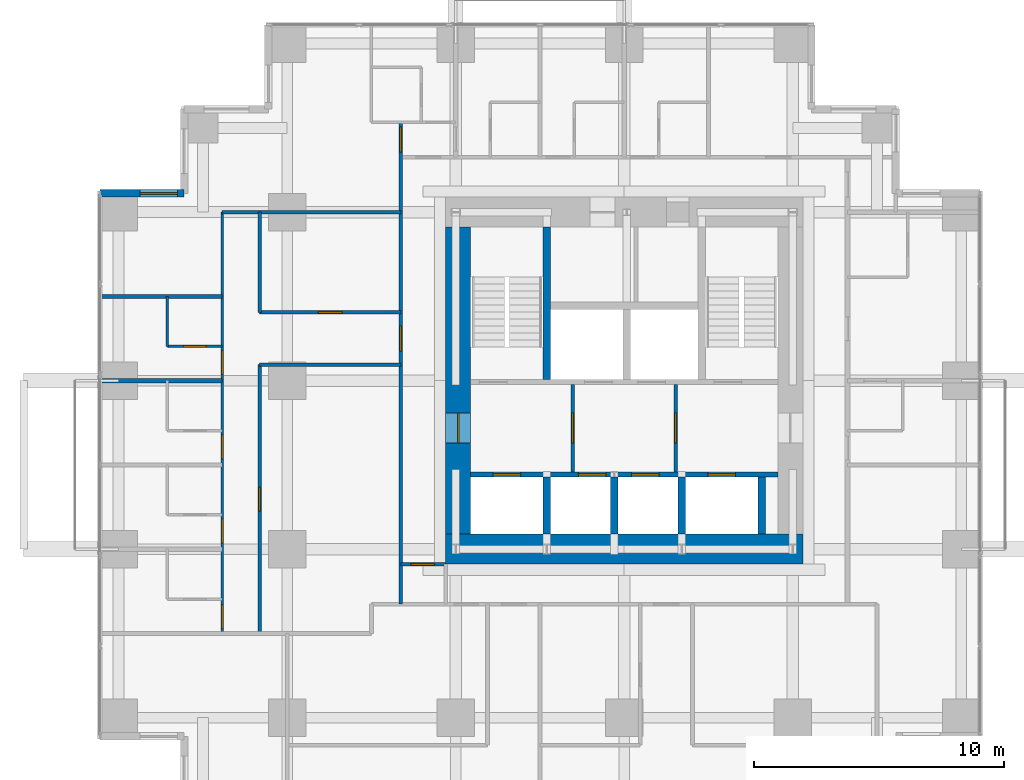
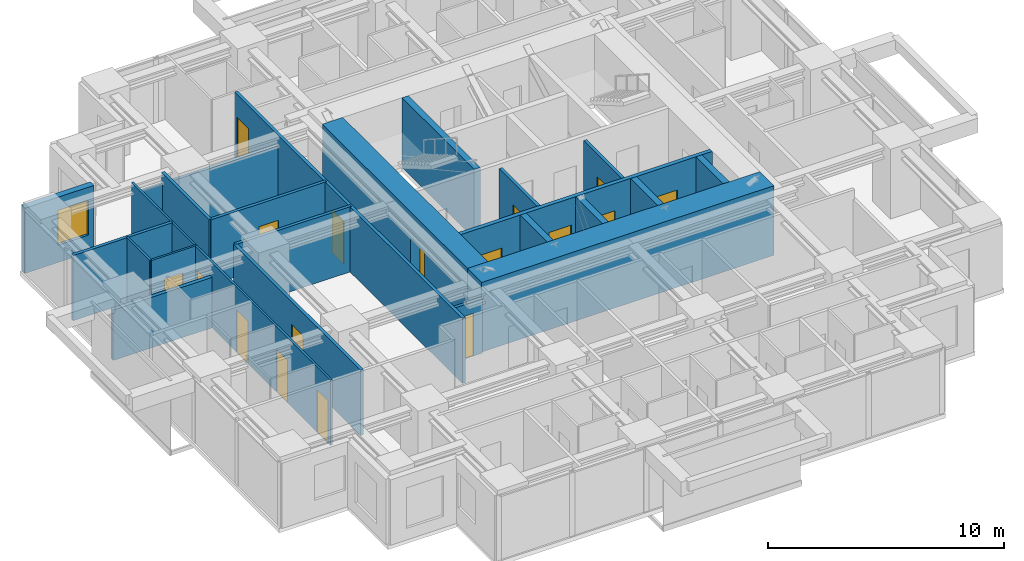
# One storey, part 7 of 11: 23 walls, 17 doors, 1 window, 18 openings.
"""IFC4 building model written with IfcOpenShell, lengths in metres."""

from ifc_helpers import new_model, si_unit, direction, frame, frame_2d, origin, place, context, subcontext, project, spatial, rectangle, extrude, material, layer, layer_set, type_object, element, fill, save


model = new_model("IFC4")

# Units and contexts
model_context = context("Model", 3, precision=1e-05, world=origin(), true_north=direction((0.0, 1.0)))
body_context = subcontext(model_context, "Body", "Model", "MODEL_VIEW")
ifc_project = project(units=[si_unit("LENGTHUNIT", "METRE"), si_unit("AREAUNIT", "SQUARE_METRE"), si_unit("VOLUMEUNIT", "CUBIC_METRE"), si_unit("PLANEANGLEUNIT", "RADIAN"), si_unit("MASSUNIT", "GRAM", prefix="KILO")], contexts=[model_context])

# Site, building, storey
site_placement = place(None, origin())
site = spatial("IfcSite", under=ifc_project, at=site_placement, CompositionType="ELEMENT")
building_placement = place(site_placement, origin())
building = spatial("IfcBuilding", under=site, at=building_placement, Name="Nyansa Garden Tower", CompositionType="ELEMENT")
storey_placement = place(building_placement, frame((0.0, 0.0, 160.199951171875)))
storey = spatial("IfcBuildingStorey", under=building, at=storey_placement, Name="L43", CompositionType="ELEMENT", Elevation=160.199951171875)

# Wall
ifc_material_1 = material(Name="Dense blockwork, plastered both sides, 55 dB", Category="masonry")
ifc_layer_1 = layer(ifc_material_1, 0.175048828125)
ifc_layer_set_1 = layer_set([ifc_layer_1], Name="Acoustic party wall PW175")
wall_type_1 = type_object("IfcWallType", Name="Acoustic party wall PW175", PredefinedType="PARTITIONING", material=ifc_layer_set_1)
wall_1_placement = place(storey_placement, frame((-0.73388671875, 20.25, 0.0), z_axis=(0.0, 0.0, 1.0), x_axis=(1.0, 0.0, 0.0)))
element("IfcWall", 1, at=wall_1_placement, inside=storey, type_object=wall_type_1, Name="Party wall", PredefinedType="PARTITIONING", context=body_context, shape_type="SweptSolid", body=[
    extrude(rectangle(XDim=4.8837890625, YDim=0.175048828125, at=frame_2d((2.44189453125, 0.0))), origin(), (0.0, 0.0, 1.0), 2.610107421875),
])

# Wall, openings, doors
ifc_material_2 = material(Name="Concrete C70/85", Category="concrete")
ifc_layer_2 = layer(ifc_material_2, 0.199951171875)
ifc_layer_set_2 = layer_set([ifc_layer_2], Name="Core inner wall CI200")
wall_type_2 = type_object("IfcWallType", Name="Core inner wall CI200", PredefinedType="SHEAR", material=ifc_layer_set_2)
wall_2_placement = place(storey_placement, frame((14.10009765625, 16.5, 0.0), z_axis=(0.0, 0.0, 1.0), x_axis=(1.0, 0.0, 0.0)))
wall_2 = element("IfcWall", 2, at=wall_2_placement, inside=storey, type_object=wall_type_2, Name="Core inner wall L43", PredefinedType="SHEAR", context=body_context, shape_type="SweptSolid", body=[
    extrude(rectangle(XDim=12.2998046875, YDim=0.199951171875, at=frame_2d((6.14990234375, 0.0))), origin(), (0.0, 0.0, 1.0), 3.60009765625),
])
opening_1_placement = place(wall_2_placement, frame((0.89990234375, 0.0, 0.0)))
opening_1 = element("IfcOpeningElement", 3, at=opening_1_placement, cuts=wall_2, Name="Opening LD-F", PredefinedType="OPENING", context=body_context, shape_type="SweptSolid", body=[
    extrude(rectangle(XDim=1.10009765625, YDim=2.199951171875, at=frame_2d((0.550048828125, 1.10009765625))), frame((0.0, 0.10986328125, 0.0), z_axis=(0.0, -1.0, 0.0), x_axis=(1.0, 0.0, 0.0)), (0.0, 0.0, 1.0), 0.219970703125),
])
opening_2_placement = place(wall_2_placement, frame((4.31005859375, 0.0, 0.0)))
opening_2 = element("IfcOpeningElement", 4, at=opening_2_placement, cuts=wall_2, Name="Opening LD-B", PredefinedType="OPENING", context=body_context, shape_type="SweptSolid", body=[
    extrude(rectangle(XDim=1.10009765625, YDim=2.199951171875, at=frame_2d((0.550048828125, 1.10009765625))), frame((0.0, 0.10986328125, 0.0), z_axis=(0.0, -1.0, 0.0), x_axis=(1.0, 0.0, 0.0)), (0.0, 0.0, 1.0), 0.219970703125),
])
opening_3_placement = place(wall_2_placement, frame((6.449951171875, 0.0, 0.0)))
opening_3 = element("IfcOpeningElement", 5, at=opening_3_placement, cuts=wall_2, Name="Opening LD-B", PredefinedType="OPENING", context=body_context, shape_type="SweptSolid", body=[
    extrude(rectangle(XDim=1.10009765625, YDim=2.199951171875, at=frame_2d((0.550048828125, 1.10009765625))), frame((0.0, 0.10986328125, 0.0), z_axis=(0.0, -1.0, 0.0), x_axis=(1.0, 0.0, 0.0)), (0.0, 0.0, 1.0), 0.219970703125),
])
opening_4_placement = place(wall_2_placement, frame((9.5, 0.0, 0.0)))
opening_4 = element("IfcOpeningElement", 6, at=opening_4_placement, cuts=wall_2, Name="Opening LD-F", PredefinedType="OPENING", context=body_context, shape_type="SweptSolid", body=[
    extrude(rectangle(XDim=1.10009765625, YDim=2.199951171875, at=frame_2d((0.550048828125, 1.10009765625))), frame((0.0, 0.10986328125, 0.0), z_axis=(0.0, -1.0, 0.0), x_axis=(1.0, 0.0, 0.0)), (0.0, 0.0, 1.0), 0.219970703125),
])
ifc_material_3 = material(Name="Stainless steel centre-opening landing door of the high-rise lift, E 120", Category="steel")
door_type_1 = type_object("IfcDoorType", Name="Lift landing door LD-B 1100x2200", OperationType="DOUBLE_DOOR_SLIDING", PredefinedType="DOOR", material=ifc_material_3)
door_1_placement = place(opening_2_placement, origin())
door_1 = element("IfcDoor", 7, at=door_1_placement, inside=storey, type_object=door_type_1, Name="Landing door B1", OperationType="DOUBLE_DOOR_SLIDING", OverallHeight=2.199951171875, OverallWidth=1.10009765625, PredefinedType="DOOR", context=body_context, shape_type="SweptSolid", body=[
    extrude(rectangle(XDim=1.10009765625, YDim=2.199951171875, at=frame_2d((0.550048828125, 1.10009765625))), frame((0.0, 0.02490234375, 0.0), z_axis=(0.0, -1.0, 0.0), x_axis=(1.0, 0.0, 0.0)), (0.0, 0.0, 1.0), 0.050048828125),
])
fill(opening_2, door_1)
door_2_placement = place(opening_3_placement, origin())
door_2 = element("IfcDoor", 8, at=door_2_placement, inside=storey, type_object=door_type_1, Name="Landing door B2", OperationType="DOUBLE_DOOR_SLIDING", OverallHeight=2.199951171875, OverallWidth=1.10009765625, PredefinedType="DOOR", context=body_context, shape_type="SweptSolid", body=[
    extrude(rectangle(XDim=1.10009765625, YDim=2.199951171875, at=frame_2d((0.550048828125, 1.10009765625))), frame((0.0, 0.02490234375, 0.0), z_axis=(0.0, -1.0, 0.0), x_axis=(1.0, 0.0, 0.0)), (0.0, 0.0, 1.0), 0.050048828125),
])
fill(opening_3, door_2)
ifc_material_4 = material(Name="Stainless steel centre-opening landing door of the firefighting lift, EN 81-72, E 120", Category="steel")
door_type_2 = type_object("IfcDoorType", Name="Lift landing door LD-F 1100x2200", OperationType="DOUBLE_DOOR_SLIDING", PredefinedType="DOOR", material=ifc_material_4)
door_3_placement = place(opening_1_placement, origin())
door_3 = element("IfcDoor", 9, at=door_3_placement, inside=storey, type_object=door_type_2, Name="Landing door FF1", OperationType="DOUBLE_DOOR_SLIDING", OverallHeight=2.199951171875, OverallWidth=1.10009765625, PredefinedType="DOOR", context=body_context, shape_type="SweptSolid", body=[
    extrude(rectangle(XDim=1.10009765625, YDim=2.199951171875, at=frame_2d((0.550048828125, 1.10009765625))), frame((0.0, 0.02490234375, 0.0), z_axis=(0.0, -1.0, 0.0), x_axis=(1.0, 0.0, 0.0)), (0.0, 0.0, 1.0), 0.050048828125),
])
fill(opening_1, door_3)
door_4_placement = place(opening_4_placement, origin())
door_4 = element("IfcDoor", 10, at=door_4_placement, inside=storey, type_object=door_type_2, Name="Landing door FF2", OperationType="DOUBLE_DOOR_SLIDING", OverallHeight=2.199951171875, OverallWidth=1.10009765625, PredefinedType="DOOR", context=body_context, shape_type="SweptSolid", body=[
    extrude(rectangle(XDim=1.10009765625, YDim=2.199951171875, at=frame_2d((0.550048828125, 1.10009765625))), frame((0.0, 0.02490234375, 0.0), z_axis=(0.0, -1.0, 0.0), x_axis=(1.0, 0.0, 0.0)), (0.0, 0.0, 1.0), 0.050048828125),
])
fill(opening_4, door_4)

# Walls
ifc_material_5 = material(Name="Concrete C70/85", Category="concrete")
ifc_layer_3 = layer(ifc_material_5, 0.300048828125)
ifc_layer_set_3 = layer_set([ifc_layer_3], Name="Core inner wall CI300")
wall_type_3 = type_object("IfcWallType", Name="Core inner wall CI300", PredefinedType="SHEAR", material=ifc_layer_set_3)
wall_3_placement = place(storey_placement, frame((17.14990234375, 20.300048828125, 0.0), z_axis=(0.0, 0.0, 1.0), x_axis=(0.0, 1.0, 0.0)))
element("IfcWall", 11, at=wall_3_placement, inside=storey, type_object=wall_type_3, Name="Core inner wall L43", PredefinedType="SHEAR", context=body_context, shape_type="SweptSolid", body=[
    extrude(rectangle(XDim=6.099853515625, YDim=0.300048828125, at=frame_2d((3.0498046875, 0.0))), origin(), (0.0, 0.0, 1.0), 3.60009765625),
])
for number, where, z_axis, x_axis, name in (
    (12, (17.14990234375, 14.10009765625, 0.0), (0.0, 0.0, 1.0), (0.0, 1.0, 0.0), "Core inner wall L43"),
    (13, (19.85009765625, 14.10009765625, 0.0), (0.0, 0.0, 1.0), (0.0, 1.0, 0.0), "Core inner wall L43"),
    (14, (22.550048828125, 14.10009765625, 0.0), (0.0, 0.0, 1.0), (0.0, 1.0, 0.0), "Core inner wall L43"),
    (15, (25.75, 14.10009765625, 0.0), (0.0, 0.0, 1.0), (0.0, 1.0, 0.0), "Core inner wall L43"),
):
    element("IfcWall", number, at=place(storey_placement, frame(where, z_axis=z_axis, x_axis=x_axis)), inside=storey, type_object=wall_type_3, Name=name, PredefinedType="SHEAR", context=body_context, shape_type="SweptSolid", body=[
        extrude(rectangle(XDim=2.2998046875, YDim=0.300048828125, at=frame_2d((1.14990234375, 0.0))), origin(), (0.0, 0.0, 1.0), 3.60009765625),
    ])

# Wall, opening, door
ifc_material_6 = material(Name="Concrete C80/95", Category="concrete")
ifc_layer_4 = layer(ifc_material_6, 1.0)
ifc_layer_set_4 = layer_set([ifc_layer_4], Name="Core wall CW1000")
wall_type_4 = type_object("IfcWallType", Name="Core wall CW1000", PredefinedType="SHEAR", material=ifc_layer_set_4)
wall_4_placement = place(storey_placement, frame((13.60009765625, 26.39990234375, 0.0), z_axis=(0.0, 0.0, 1.0), x_axis=(0.0, -1.0, 0.0)))
wall_4 = element("IfcWall", 16, at=wall_4_placement, inside=storey, type_object=wall_type_4, Name="Core wall W L43", PredefinedType="SHEAR", context=body_context, shape_type="SweptSolid", body=[
    extrude(rectangle(XDim=12.2998046875, YDim=1.0, at=frame_2d((6.14990234375, 0.0))), origin(), (0.0, 0.0, 1.0), 3.60009765625),
])
opening_5_placement = place(wall_4_placement, frame((7.449951171875, 0.0, 0.0)))
opening_5 = element("IfcOpeningElement", 17, at=opening_5_placement, cuts=wall_4, Name="Opening D06", PredefinedType="OPENING", context=body_context, shape_type="SweptSolid", body=[
    extrude(rectangle(XDim=1.199951171875, YDim=2.199951171875, at=frame_2d((0.60009765625, 1.10009765625))), frame((0.0, 0.510009765625, 0.0), z_axis=(0.0, -1.0, 0.0), x_axis=(1.0, 0.0, 0.0)), (0.0, 0.0, 1.0), 1.02001953125),
])
ifc_material_7 = material(Name="Steel door, 120 minute fire resisting", Category="steel")
door_type_3 = type_object("IfcDoorType", Name="Lobby door D06 1200x2200", OperationType="DOUBLE_DOOR_SINGLE_SWING", PredefinedType="DOOR", material=ifc_material_7)
door_5_placement = place(opening_5_placement, origin())
door_5 = element("IfcDoor", 18, at=door_5_placement, inside=storey, type_object=door_type_3, Name="Lift lobby door west", OperationType="DOUBLE_DOOR_SINGLE_SWING", OverallHeight=2.199951171875, OverallWidth=1.199951171875, PredefinedType="DOOR", context=body_context, shape_type="SweptSolid", body=[
    extrude(rectangle(XDim=1.199951171875, YDim=2.199951171875, at=frame_2d((0.60009765625, 1.10009765625))), frame((0.0, 0.02490234375, 0.0), z_axis=(0.0, -1.0, 0.0), x_axis=(1.0, 0.0, 0.0)), (0.0, 0.0, 1.0), 0.050048828125),
])
fill(opening_5, door_5)

# Wall
ifc_material_8 = material(Name="Concrete C80/95", Category="concrete")
ifc_layer_5 = layer(ifc_material_8, 1.199951171875)
ifc_layer_set_5 = layer_set([ifc_layer_5], Name="Core wall CW1200")
wall_type_5 = type_object("IfcWallType", Name="Core wall CW1200", PredefinedType="SHEAR", material=ifc_layer_set_5)
wall_5_placement = place(storey_placement, frame((13.10009765625, 13.5, 0.0), z_axis=(0.0, 0.0, 1.0), x_axis=(1.0, 0.0, 0.0)))
element("IfcWall", 19, at=wall_5_placement, inside=storey, type_object=wall_type_5, Name="Core wall S L43", PredefinedType="SHEAR", context=body_context, shape_type="SweptSolid", body=[
    extrude(rectangle(XDim=14.2998046875, YDim=1.199951171875, at=frame_2d((7.14990234375, 0.0))), origin(), (0.0, 0.0, 1.0), 3.60009765625),
])

# Wall, opening, door
ifc_material_9 = material(Name="Blockwork, plastered both sides", Category="masonry")
ifc_layer_6 = layer(ifc_material_9, 0.14990234375)
ifc_layer_set_6 = layer_set([ifc_layer_6], Name="Partition PW150")
wall_type_6 = type_object("IfcWallType", Name="Partition PW150", PredefinedType="PARTITIONING", material=ifc_layer_set_6)
wall_6_placement = place(storey_placement, frame((18.18505859375, 16.60009765625, 0.0), z_axis=(0.0, 0.0, 1.0), x_axis=(0.0, 1.0, 0.0)))
wall_6 = element("IfcWall", 20, at=wall_6_placement, inside=storey, type_object=wall_type_6, Name="Partition", PredefinedType="PARTITIONING", context=body_context, shape_type="SweptSolid", body=[
    extrude(rectangle(XDim=3.5, YDim=0.14990234375, at=frame_2d((1.75, 0.0))), origin(), (0.0, 0.0, 1.0), 3.375),
])
opening_6_placement = place(wall_6_placement, frame((1.14990234375, 0.0, 0.0)))
opening_6 = element("IfcOpeningElement", 21, at=opening_6_placement, cuts=wall_6, Name="Opening D06", PredefinedType="OPENING", context=body_context, shape_type="SweptSolid", body=[
    extrude(rectangle(XDim=1.199951171875, YDim=2.199951171875, at=frame_2d((0.60009765625, 1.10009765625))), frame((0.0, 0.0849609375, 0.0), z_axis=(0.0, -1.0, 0.0), x_axis=(1.0, 0.0, 0.0)), (0.0, 0.0, 1.0), 0.169921875),
])
door_6_placement = place(opening_6_placement, origin())
door_6 = element("IfcDoor", 22, at=door_6_placement, inside=storey, type_object=door_type_3, Name="Passenger lift lobby door", OperationType="DOUBLE_DOOR_SINGLE_SWING", OverallHeight=2.199951171875, OverallWidth=1.199951171875, PredefinedType="DOOR", context=body_context, shape_type="SweptSolid", body=[
    extrude(rectangle(XDim=1.199951171875, YDim=2.199951171875, at=frame_2d((0.60009765625, 1.10009765625))), frame((0.0, 0.02490234375, 0.0), z_axis=(0.0, -1.0, 0.0), x_axis=(1.0, 0.0, 0.0)), (0.0, 0.0, 1.0), 0.050048828125),
])
fill(opening_6, door_6)

wall_7_placement = place(storey_placement, frame((22.31494140625, 16.60009765625, 0.0), z_axis=(0.0, 0.0, 1.0), x_axis=(0.0, 1.0, 0.0)))
wall_7 = element("IfcWall", 23, at=wall_7_placement, inside=storey, type_object=wall_type_6, Name="Partition", PredefinedType="PARTITIONING", context=body_context, shape_type="SweptSolid", body=[
    extrude(rectangle(XDim=3.5, YDim=0.14990234375, at=frame_2d((1.75, 0.0))), origin(), (0.0, 0.0, 1.0), 3.375),
])
opening_7_placement = place(wall_7_placement, frame((1.14990234375, 0.0, 0.0)))
opening_7 = element("IfcOpeningElement", 24, at=opening_7_placement, cuts=wall_7, Name="Opening D06", PredefinedType="OPENING", context=body_context, shape_type="SweptSolid", body=[
    extrude(rectangle(XDim=1.199951171875, YDim=2.199951171875, at=frame_2d((0.60009765625, 1.10009765625))), frame((0.0, 0.0849609375, 0.0), z_axis=(0.0, -1.0, 0.0), x_axis=(1.0, 0.0, 0.0)), (0.0, 0.0, 1.0), 0.169921875),
])
door_7_placement = place(opening_7_placement, origin())
door_7 = element("IfcDoor", 25, at=door_7_placement, inside=storey, type_object=door_type_3, Name="Passenger lift lobby door", OperationType="DOUBLE_DOOR_SINGLE_SWING", OverallHeight=2.199951171875, OverallWidth=1.199951171875, PredefinedType="DOOR", context=body_context, shape_type="SweptSolid", body=[
    extrude(rectangle(XDim=1.199951171875, YDim=2.199951171875, at=frame_2d((0.60009765625, 1.10009765625))), frame((0.0, 0.02490234375, 0.0), z_axis=(0.0, -1.0, 0.0), x_axis=(1.0, 0.0, 0.0)), (0.0, 0.0, 1.0), 0.050048828125),
])
fill(opening_7, door_7)

# Walls
wall_8_placement = place(storey_placement, frame((-0.73388671875, 23.625, 0.0), z_axis=(0.0, 0.0, 1.0), x_axis=(1.0, 0.0, 0.0)))
element("IfcWall", 26, at=wall_8_placement, inside=storey, type_object=wall_type_6, Name="Partition", PredefinedType="PARTITIONING", context=body_context, shape_type="SweptSolid", body=[
    extrude(rectangle(XDim=4.8837890625, YDim=0.14990234375, at=frame_2d((2.44189453125, 0.0))), origin(), (0.0, 0.0, 1.0), 3.375),
])
wall_9_placement = place(storey_placement, frame((4.14990234375, 27.0, 0.0), z_axis=(0.0, 0.0, 1.0), x_axis=(1.0, 0.0, 0.0)))
element("IfcWall", 27, at=wall_9_placement, inside=storey, type_object=wall_type_6, Name="Partition", PredefinedType="PARTITIONING", context=body_context, shape_type="SweptSolid", body=[
    extrude(rectangle(XDim=7.150146484375, YDim=0.14990234375, at=frame_2d((3.5751953125, 0.0))), origin(), (0.0, 0.0, 1.0), 2.80615234375),
])

# Wall, opening, door
wall_10_placement = place(storey_placement, frame((5.64990234375, 10.125, 0.0), z_axis=(0.0, 0.0, 1.0), x_axis=(0.0, 1.0, 0.0)))
wall_10 = element("IfcWall", 28, at=wall_10_placement, inside=storey, type_object=wall_type_6, Name="Partition", PredefinedType="PARTITIONING", context=body_context, shape_type="SweptSolid", body=[
    extrude(rectangle(XDim=10.762451171875, YDim=0.14990234375, at=frame_2d((5.38134765625, 0.0))), origin(), (0.0, 0.0, 1.0), 3.375),
])
opening_8_placement = place(wall_10_placement, frame((4.89990234375, 0.0, 0.0)))
opening_8 = element("IfcOpeningElement", 29, at=opening_8_placement, cuts=wall_10, Name="Opening D01", PredefinedType="OPENING", context=body_context, shape_type="SweptSolid", body=[
    extrude(rectangle(XDim=0.949951171875, YDim=2.199951171875, at=frame_2d((0.47509765625, 1.10009765625))), frame((0.0, 0.0849609375, 0.0), z_axis=(0.0, -1.0, 0.0), x_axis=(1.0, 0.0, 0.0)), (0.0, 0.0, 1.0), 0.169921875),
])
ifc_material_10 = material(Name="Timber flush door, 30 minute fire resisting", Category="wood")
door_type_4 = type_object("IfcDoorType", Name="Bedroom door D01 950x2200", OperationType="SINGLE_SWING_LEFT", PredefinedType="DOOR", material=ifc_material_10)
door_8_placement = place(opening_8_placement, origin())
door_8 = element("IfcDoor", 30, at=door_8_placement, inside=storey, type_object=door_type_4, Name="Door L43-059", OperationType="SINGLE_SWING_LEFT", OverallHeight=2.199951171875, OverallWidth=0.949951171875, PredefinedType="DOOR", context=body_context, shape_type="SweptSolid", body=[
    extrude(rectangle(XDim=0.949951171875, YDim=2.199951171875, at=frame_2d((0.47509765625, 1.10009765625))), frame((0.0, 0.02490234375, 0.0), z_axis=(0.0, -1.0, 0.0), x_axis=(1.0, 0.0, 0.0)), (0.0, 0.0, 1.0), 0.050048828125),
])
fill(opening_8, door_8)

# Walls
wall_11_placement = place(storey_placement, frame((5.64990234375, 20.886962890625, 0.0), z_axis=(0.0, 0.0, 1.0), x_axis=(1.0, 0.0, 0.0)))
element("IfcWall", 31, at=wall_11_placement, inside=storey, type_object=wall_type_6, Name="Partition", PredefinedType="PARTITIONING", context=body_context, shape_type="SweptSolid", body=[
    extrude(rectangle(XDim=5.650146484375, YDim=0.14990234375, at=frame_2d((2.8251953125, 0.0))), origin(), (0.0, 0.0, 1.0), 3.375),
])
wall_12_placement = place(storey_placement, frame((5.64990234375, 22.987548828125, 0.0), z_axis=(0.0, 0.0, 1.0), x_axis=(0.0, 1.0, 0.0)))
element("IfcWall", 32, at=wall_12_placement, inside=storey, type_object=wall_type_6, Name="Partition", PredefinedType="PARTITIONING", context=body_context, shape_type="SweptSolid", body=[
    extrude(rectangle(XDim=4.012451171875, YDim=0.14990234375, at=frame_2d((2.00634765625, 0.0))), origin(), (0.0, 0.0, 1.0), 3.375),
])

# Wall, opening, door
wall_13_placement = place(storey_placement, frame((5.64990234375, 22.988037109375, 0.0), z_axis=(0.0, 0.0, 1.0), x_axis=(1.0, 0.0, 0.0)))
wall_13 = element("IfcWall", 33, at=wall_13_placement, inside=storey, type_object=wall_type_6, Name="Partition", PredefinedType="PARTITIONING", context=body_context, shape_type="SweptSolid", body=[
    extrude(rectangle(XDim=5.650146484375, YDim=0.14990234375, at=frame_2d((2.8251953125, 0.0))), origin(), (0.0, 0.0, 1.0), 3.375),
])
opening_9_placement = place(wall_13_placement, frame((2.35009765625, 0.0, 0.0)))
opening_9 = element("IfcOpeningElement", 34, at=opening_9_placement, cuts=wall_13, Name="Opening D01", PredefinedType="OPENING", context=body_context, shape_type="SweptSolid", body=[
    extrude(rectangle(XDim=0.949951171875, YDim=2.199951171875, at=frame_2d((0.47509765625, 1.10009765625))), frame((0.0, 0.0849609375, 0.0), z_axis=(0.0, -1.0, 0.0), x_axis=(1.0, 0.0, 0.0)), (0.0, 0.0, 1.0), 0.169921875),
])
door_9_placement = place(opening_9_placement, origin())
door_9 = element("IfcDoor", 35, at=door_9_placement, inside=storey, type_object=door_type_4, Name="Door L43-060", OperationType="SINGLE_SWING_LEFT", OverallHeight=2.199951171875, OverallWidth=0.949951171875, PredefinedType="DOOR", context=body_context, shape_type="SweptSolid", body=[
    extrude(rectangle(XDim=0.949951171875, YDim=2.199951171875, at=frame_2d((0.47509765625, 1.10009765625))), frame((0.0, 0.02490234375, 0.0), z_axis=(0.0, -1.0, 0.0), x_axis=(1.0, 0.0, 0.0)), (0.0, 0.0, 1.0), 0.050048828125),
])
fill(opening_9, door_9)

# Wall, openings, doors
wall_14_placement = place(storey_placement, frame((11.300048828125, 11.300048828125, 0.0), z_axis=(0.0, 0.0, 1.0), x_axis=(0.0, 1.0, 0.0)))
wall_14 = element("IfcWall", 36, at=wall_14_placement, inside=storey, type_object=wall_type_6, Name="Partition", PredefinedType="PARTITIONING", context=body_context, shape_type="SweptSolid", body=[
    extrude(rectangle(XDim=19.300048828125, YDim=0.14990234375, at=frame_2d((9.64990234375, 0.0))), origin(), (0.0, 0.0, 1.0), 3.375),
])
opening_10_placement = place(wall_14_placement, frame((18.10009765625, 0.0, 0.0)))
opening_10 = element("IfcOpeningElement", 37, at=opening_10_placement, cuts=wall_14, Name="Opening D03", PredefinedType="OPENING", context=body_context, shape_type="SweptSolid", body=[
    extrude(rectangle(XDim=1.0, YDim=2.199951171875, at=frame_2d((0.5, 1.10009765625))), frame((0.0, 0.0849609375, 0.0), z_axis=(0.0, -1.0, 0.0), x_axis=(1.0, 0.0, 0.0)), (0.0, 0.0, 1.0), 0.169921875),
])
opening_11_placement = place(wall_14_placement, frame((10.137451171875, 0.0, 0.0)))
opening_11 = element("IfcOpeningElement", 38, at=opening_11_placement, cuts=wall_14, Name="Opening D03", PredefinedType="OPENING", context=body_context, shape_type="SweptSolid", body=[
    extrude(rectangle(XDim=1.0, YDim=2.199951171875, at=frame_2d((0.5, 1.10009765625))), frame((0.0, 0.0849609375, 0.0), z_axis=(0.0, -1.0, 0.0), x_axis=(1.0, 0.0, 0.0)), (0.0, 0.0, 1.0), 0.169921875),
])
ifc_material_11 = material(Name="Timber flush door, 60 minute fire resisting", Category="wood")
door_type_5 = type_object("IfcDoorType", Name="Cluster entrance door D03 1000x2200", OperationType="SINGLE_SWING_LEFT", PredefinedType="DOOR", material=ifc_material_11)
door_10_placement = place(opening_10_placement, origin())
door_10 = element("IfcDoor", 39, at=door_10_placement, inside=storey, type_object=door_type_5, Name="Door L43-049", OperationType="SINGLE_SWING_LEFT", OverallHeight=2.199951171875, OverallWidth=1.0, PredefinedType="DOOR", context=body_context, shape_type="SweptSolid", body=[
    extrude(rectangle(XDim=1.0, YDim=2.199951171875, at=frame_2d((0.5, 1.10009765625))), frame((0.0, 0.02490234375, 0.0), z_axis=(0.0, -1.0, 0.0), x_axis=(1.0, 0.0, 0.0)), (0.0, 0.0, 1.0), 0.050048828125),
])
fill(opening_10, door_10)
door_11_placement = place(opening_11_placement, origin())
door_11 = element("IfcDoor", 40, at=door_11_placement, inside=storey, type_object=door_type_5, Name="Door L43-058", OperationType="SINGLE_SWING_LEFT", OverallHeight=2.199951171875, OverallWidth=1.0, PredefinedType="DOOR", context=body_context, shape_type="SweptSolid", body=[
    extrude(rectangle(XDim=1.0, YDim=2.199951171875, at=frame_2d((0.5, 1.10009765625))), frame((0.0, 0.02490234375, 0.0), z_axis=(0.0, -1.0, 0.0), x_axis=(1.0, 0.0, 0.0)), (0.0, 0.0, 1.0), 0.050048828125),
])
fill(opening_11, door_11)

# Wall, opening, door
wall_15_placement = place(storey_placement, frame((11.300048828125, 12.89990234375, 0.0), z_axis=(0.0, 0.0, 1.0), x_axis=(1.0, 0.0, 0.0)))
wall_15 = element("IfcWall", 41, at=wall_15_placement, inside=storey, type_object=wall_type_6, Name="Partition", PredefinedType="PARTITIONING", context=body_context, shape_type="SweptSolid", body=[
    extrude(rectangle(XDim=1.800048828125, YDim=0.14990234375, at=frame_2d((0.89990234375, 0.0))), origin(), (0.0, 0.0, 1.0), 2.80615234375),
])
opening_12_placement = place(wall_15_placement, frame((0.39990234375, 0.0, 0.0)))
opening_12 = element("IfcOpeningElement", 42, at=opening_12_placement, cuts=wall_15, Name="Opening D01", PredefinedType="OPENING", context=body_context, shape_type="SweptSolid", body=[
    extrude(rectangle(XDim=0.949951171875, YDim=2.199951171875, at=frame_2d((0.47509765625, 1.10009765625))), frame((0.0, 0.0849609375, 0.0), z_axis=(0.0, -1.0, 0.0), x_axis=(1.0, 0.0, 0.0)), (0.0, 0.0, 1.0), 0.169921875),
])
door_12_placement = place(opening_12_placement, origin())
door_12 = element("IfcDoor", 43, at=door_12_placement, inside=storey, type_object=door_type_4, Name="Door L43-016", OperationType="SINGLE_SWING_LEFT", OverallHeight=2.199951171875, OverallWidth=0.949951171875, PredefinedType="DOOR", context=body_context, shape_type="SweptSolid", body=[
    extrude(rectangle(XDim=0.949951171875, YDim=2.199951171875, at=frame_2d((0.47509765625, 1.10009765625))), frame((0.0, 0.02490234375, 0.0), z_axis=(0.0, -1.0, 0.0), x_axis=(1.0, 0.0, 0.0)), (0.0, 0.0, 1.0), 0.050048828125),
])
fill(opening_12, door_12)

# Wall, opening, window
ifc_material_12 = material(Name="Turquoise glazed tile on concrete blockwork", Category="masonry")
ifc_layer_7 = layer(ifc_material_12, 0.300048828125)
ifc_layer_set_7 = layer_set([ifc_layer_7], Name="Tiled corner wall TW300")
wall_type_7 = type_object("IfcWallType", Name="Tiled corner wall TW300", PredefinedType="SOLIDWALL", material=ifc_layer_set_7)
wall_16_placement = place(storey_placement, frame((2.625, 27.75, 0.0), z_axis=(0.0, 0.0, 1.0), x_axis=(-1.0, 0.0, 0.0)))
wall_16 = element("IfcWall", 44, at=wall_16_placement, inside=storey, type_object=wall_type_7, Name="Tiled corner wall L43", PredefinedType="SOLIDWALL", context=body_context, shape_type="SweptSolid", body=[
    extrude(rectangle(XDim=3.375, YDim=0.300048828125, at=frame_2d((1.6875, 0.0))), origin(), (0.0, 0.0, 1.0), 3.375),
])
opening_13_placement = place(wall_16_placement, frame((0.267578125, 0.0, 0.89990234375)))
opening_13 = element("IfcOpeningElement", 45, at=opening_13_placement, cuts=wall_16, Name="Opening W1", PredefinedType="OPENING", context=body_context, shape_type="SweptSolid", body=[
    extrude(rectangle(XDim=1.5, YDim=1.800048828125, at=frame_2d((0.75, 0.89990234375))), frame((0.0, 0.159912109375, 0.0), z_axis=(0.0, -1.0, 0.0), x_axis=(1.0, 0.0, 0.0)), (0.0, 0.0, 1.0), 0.320068359375),
])
ifc_material_13 = material(Name="Black aluminium frame, dark tinted double glazing", Category="aluminium")
window_type = type_object("IfcWindowType", Name="Window W1 1500x1800", PartitioningType="SINGLE_PANEL", PredefinedType="WINDOW", material=ifc_material_13)
window_placement = place(opening_13_placement, origin())
window = element("IfcWindow", 46, at=window_placement, inside=storey, type_object=window_type, Name="Corner window L43", OverallHeight=1.800048828125, OverallWidth=1.5, PartitioningType="SINGLE_PANEL", PredefinedType="WINDOW", context=body_context, shape_type="SweptSolid", body=[
    extrude(rectangle(XDim=1.5, YDim=1.800048828125, at=frame_2d((0.75, 0.89990234375))), frame((0.0, 0.030029296875, 0.0), z_axis=(0.0, -1.0, 0.0), x_axis=(1.0, 0.0, 0.0)), (0.0, 0.0, 1.0), 0.06005859375),
])
fill(opening_13, window)

# Wall
ifc_material_14 = material(Name="Moisture resistant board on steel studs, tiled", Category="steel")
ifc_layer_8 = layer(ifc_material_14, 0.10009765625)
ifc_layer_set_8 = layer_set([ifc_layer_8], Name="Wet wall PW100")
wall_type_8 = type_object("IfcWallType", Name="Wet wall PW100", PredefinedType="PARTITIONING", material=ifc_layer_set_8)
wall_17_placement = place(storey_placement, frame((1.949951171875, 21.625, 0.0), z_axis=(0.0, 0.0, 1.0), x_axis=(0.0, 1.0, 0.0)))
element("IfcWall", 47, at=wall_17_placement, inside=storey, type_object=wall_type_8, Name="Wet wall", PredefinedType="PARTITIONING", context=body_context, shape_type="SweptSolid", body=[
    extrude(rectangle(XDim=2.0, YDim=0.10009765625, at=frame_2d((1.0, 0.0))), origin(), (0.0, 0.0, 1.0), 3.375),
])

# Wall, opening, door
wall_18_placement = place(storey_placement, frame((1.949951171875, 21.625, 0.0), z_axis=(0.0, 0.0, 1.0), x_axis=(1.0, 0.0, 0.0)))
wall_18 = element("IfcWall", 48, at=wall_18_placement, inside=storey, type_object=wall_type_8, Name="Wet wall", PredefinedType="PARTITIONING", context=body_context, shape_type="SweptSolid", body=[
    extrude(rectangle(XDim=2.199951171875, YDim=0.10009765625, at=frame_2d((1.10009765625, 0.0))), origin(), (0.0, 0.0, 1.0), 3.375),
])
opening_14_placement = place(wall_18_placement, frame((0.64990234375, 0.0, 0.0)))
opening_14 = element("IfcOpeningElement", 49, at=opening_14_placement, cuts=wall_18, Name="Opening D02", PredefinedType="OPENING", context=body_context, shape_type="SweptSolid", body=[
    extrude(rectangle(XDim=0.89990234375, YDim=2.199951171875, at=frame_2d((0.449951171875, 1.10009765625))), frame((0.0, 0.06005859375, 0.0), z_axis=(0.0, -1.0, 0.0), x_axis=(1.0, 0.0, 0.0)), (0.0, 0.0, 1.0), 0.1201171875),
])
ifc_material_15 = material(Name="Timber flush door", Category="wood")
door_type_6 = type_object("IfcDoorType", Name="En-suite door D02 900x2200", OperationType="SINGLE_SWING_RIGHT", PredefinedType="DOOR", material=ifc_material_15)
door_13_placement = place(opening_14_placement, origin())
door_13 = element("IfcDoor", 50, at=door_13_placement, inside=storey, type_object=door_type_6, Name="Door L43-057", OperationType="SINGLE_SWING_RIGHT", OverallHeight=2.199951171875, OverallWidth=0.89990234375, PredefinedType="DOOR", context=body_context, shape_type="SweptSolid", body=[
    extrude(rectangle(XDim=0.89990234375, YDim=2.199951171875, at=frame_2d((0.449951171875, 1.10009765625))), frame((0.0, 0.02490234375, 0.0), z_axis=(0.0, -1.0, 0.0), x_axis=(1.0, 0.0, 0.0)), (0.0, 0.0, 1.0), 0.050048828125),
])
fill(opening_14, door_13)

# Wall, openings, doors
wall_19_placement = place(storey_placement, frame((4.14990234375, 10.125, 0.0), z_axis=(0.0, 0.0, 1.0), x_axis=(0.0, 1.0, 0.0)))
wall_19 = element("IfcWall", 51, at=wall_19_placement, inside=storey, type_object=wall_type_8, Name="Wet wall", PredefinedType="PARTITIONING", context=body_context, shape_type="SweptSolid", body=[
    extrude(rectangle(XDim=16.875, YDim=0.10009765625, at=frame_2d((8.4375, 0.0))), origin(), (0.0, 0.0, 1.0), 3.375),
])
opening_15_placement = place(wall_19_placement, frame((0.199951171875, 0.0, 0.0)))
opening_15 = element("IfcOpeningElement", 52, at=opening_15_placement, cuts=wall_19, Name="Opening D14", PredefinedType="OPENING", context=body_context, shape_type="SweptSolid", body=[
    extrude(rectangle(XDim=0.949951171875, YDim=2.199951171875, at=frame_2d((0.47509765625, 1.10009765625))), frame((0.0, 0.06005859375, 0.0), z_axis=(0.0, -1.0, 0.0), x_axis=(1.0, 0.0, 0.0)), (0.0, 0.0, 1.0), 0.1201171875),
])
opening_16_placement = place(wall_19_placement, frame((3.625, 0.0, 0.0)))
opening_16 = element("IfcOpeningElement", 53, at=opening_16_placement, cuts=wall_19, Name="Opening D14", PredefinedType="OPENING", context=body_context, shape_type="SweptSolid", body=[
    extrude(rectangle(XDim=0.949951171875, YDim=2.199951171875, at=frame_2d((0.47509765625, 1.10009765625))), frame((0.0, 0.06005859375, 0.0), z_axis=(0.0, -1.0, 0.0), x_axis=(1.0, 0.0, 0.0)), (0.0, 0.0, 1.0), 0.1201171875),
])
opening_17_placement = place(wall_19_placement, frame((7.0, 0.0, 0.0)))
opening_17 = element("IfcOpeningElement", 54, at=opening_17_placement, cuts=wall_19, Name="Opening D14", PredefinedType="OPENING", context=body_context, shape_type="SweptSolid", body=[
    extrude(rectangle(XDim=0.949951171875, YDim=2.199951171875, at=frame_2d((0.47509765625, 1.10009765625))), frame((0.0, 0.06005859375, 0.0), z_axis=(0.0, -1.0, 0.0), x_axis=(1.0, 0.0, 0.0)), (0.0, 0.0, 1.0), 0.1201171875),
])
opening_18_placement = place(wall_19_placement, frame((10.375, 0.0, 0.0)))
opening_18 = element("IfcOpeningElement", 55, at=opening_18_placement, cuts=wall_19, Name="Opening D14", PredefinedType="OPENING", context=body_context, shape_type="SweptSolid", body=[
    extrude(rectangle(XDim=0.949951171875, YDim=2.199951171875, at=frame_2d((0.47509765625, 1.10009765625))), frame((0.0, 0.06005859375, 0.0), z_axis=(0.0, -1.0, 0.0), x_axis=(1.0, 0.0, 0.0)), (0.0, 0.0, 1.0), 0.1201171875),
])
ifc_material_16 = material(Name="Timber flush door, 60 minute fire resisting, self-closing", Category="wood")
door_type_7 = type_object("IfcDoorType", Name="Studio entrance door D14 950x2200", OperationType="SINGLE_SWING_LEFT", PredefinedType="DOOR", material=ifc_material_16)
door_14_placement = place(opening_15_placement, origin())
door_14 = element("IfcDoor", 56, at=door_14_placement, inside=storey, type_object=door_type_7, Name="Door L43-050", OperationType="SINGLE_SWING_LEFT", OverallHeight=2.199951171875, OverallWidth=0.949951171875, PredefinedType="DOOR", context=body_context, shape_type="SweptSolid", body=[
    extrude(rectangle(XDim=0.949951171875, YDim=2.199951171875, at=frame_2d((0.47509765625, 1.10009765625))), frame((0.0, 0.02490234375, 0.0), z_axis=(0.0, -1.0, 0.0), x_axis=(1.0, 0.0, 0.0)), (0.0, 0.0, 1.0), 0.050048828125),
])
fill(opening_15, door_14)
door_15_placement = place(opening_16_placement, origin())
door_15 = element("IfcDoor", 57, at=door_15_placement, inside=storey, type_object=door_type_7, Name="Door L43-052", OperationType="SINGLE_SWING_LEFT", OverallHeight=2.199951171875, OverallWidth=0.949951171875, PredefinedType="DOOR", context=body_context, shape_type="SweptSolid", body=[
    extrude(rectangle(XDim=0.949951171875, YDim=2.199951171875, at=frame_2d((0.47509765625, 1.10009765625))), frame((0.0, 0.02490234375, 0.0), z_axis=(0.0, -1.0, 0.0), x_axis=(1.0, 0.0, 0.0)), (0.0, 0.0, 1.0), 0.050048828125),
])
fill(opening_16, door_15)
door_16_placement = place(opening_17_placement, origin())
door_16 = element("IfcDoor", 58, at=door_16_placement, inside=storey, type_object=door_type_7, Name="Door L43-054", OperationType="SINGLE_SWING_LEFT", OverallHeight=2.199951171875, OverallWidth=0.949951171875, PredefinedType="DOOR", context=body_context, shape_type="SweptSolid", body=[
    extrude(rectangle(XDim=0.949951171875, YDim=2.199951171875, at=frame_2d((0.47509765625, 1.10009765625))), frame((0.0, 0.02490234375, 0.0), z_axis=(0.0, -1.0, 0.0), x_axis=(1.0, 0.0, 0.0)), (0.0, 0.0, 1.0), 0.050048828125),
])
fill(opening_17, door_16)
door_17_placement = place(opening_18_placement, origin())
door_17 = element("IfcDoor", 59, at=door_17_placement, inside=storey, type_object=door_type_7, Name="Door L43-056", OperationType="SINGLE_SWING_LEFT", OverallHeight=2.199951171875, OverallWidth=0.949951171875, PredefinedType="DOOR", context=body_context, shape_type="SweptSolid", body=[
    extrude(rectangle(XDim=0.949951171875, YDim=2.199951171875, at=frame_2d((0.47509765625, 1.10009765625))), frame((0.0, 0.02490234375, 0.0), z_axis=(0.0, -1.0, 0.0), x_axis=(1.0, 0.0, 0.0)), (0.0, 0.0, 1.0), 0.050048828125),
])
fill(opening_18, door_17)

save(model, "model.ifc")
